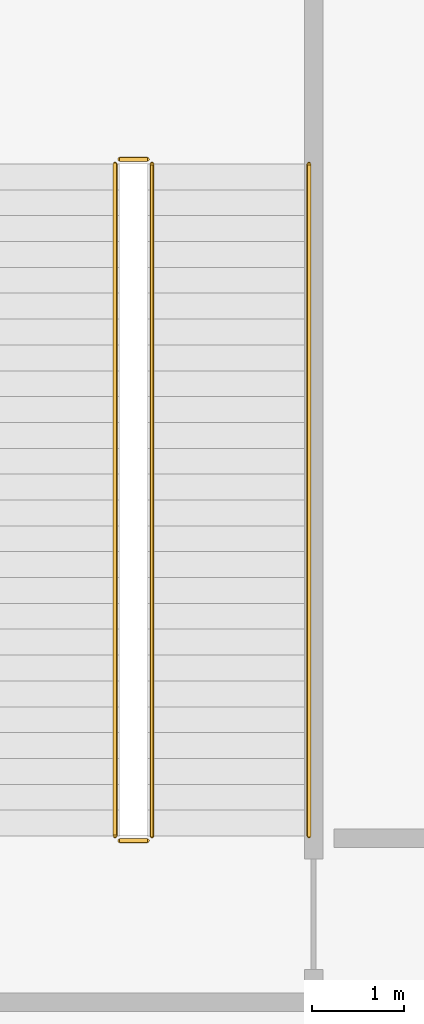
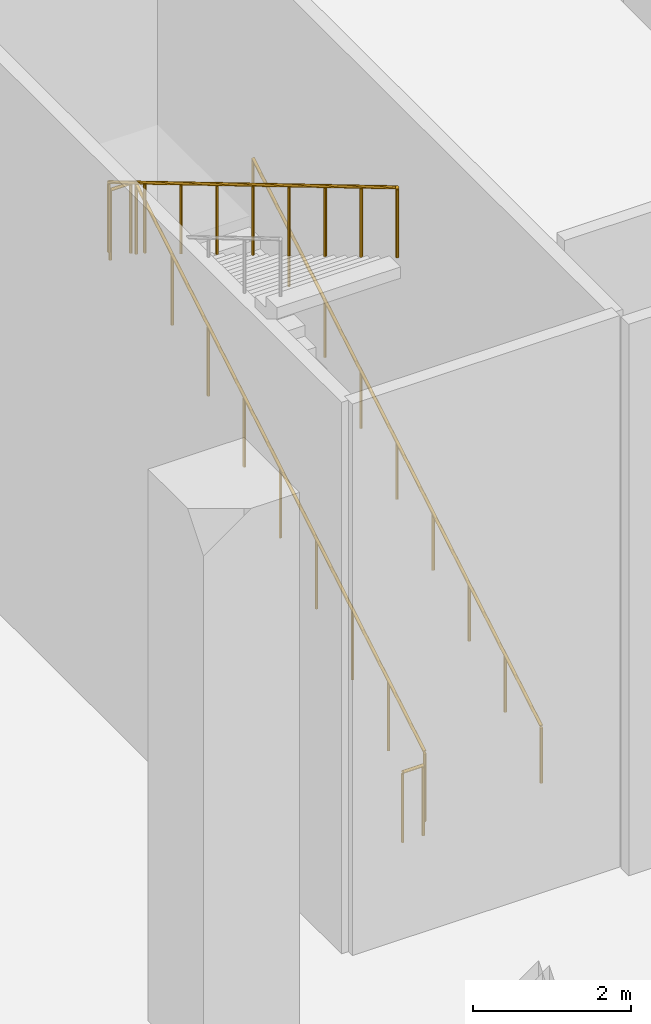
# One storey, part 51 of 54: 5 railings.
"""IFC4 building model written with IfcOpenShell, lengths in metres."""

from ifc_helpers import new_model, si_unit, direction, frame, origin, origin_2d, place, context, subcontext, project, spatial, circle, extrude, material, type_object, element, save


model = new_model("IFC4")

# Units and contexts
model_context = context("Model", 3, precision=1e-05, world=origin(), true_north=direction((0.0, 1.0)))
body_context = subcontext(model_context, "Body", "Model", "MODEL_VIEW")
ifc_project = project(units=[si_unit("LENGTHUNIT", "METRE"), si_unit("AREAUNIT", "SQUARE_METRE"), si_unit("VOLUMEUNIT", "CUBIC_METRE"), si_unit("PLANEANGLEUNIT", "RADIAN"), si_unit("MASSUNIT", "GRAM", prefix="KILO")], contexts=[model_context])

# Site, building, storey
site_placement = place(None, origin())
site = spatial("IfcSite", under=ifc_project, at=site_placement, CompositionType="ELEMENT")
building_placement = place(site_placement, origin())
building = spatial("IfcBuilding", under=site, at=building_placement, Name="Tamarind Cross Interchange Tower", CompositionType="ELEMENT")
storey_placement = place(building_placement, origin())
storey = spatial("IfcBuildingStorey", under=building, at=storey_placement, Name="L00", CompositionType="ELEMENT", Elevation=0.0)

# Railings
ifc_material_1 = material(Name="Public stair guard")
railing_type_1 = type_object("IfcRailingType", Name="Public stair guard", PredefinedType="GUARDRAIL", material=ifc_material_1)
railing_1_placement = place(storey_placement, frame((58.39990234375, -23.5, 0.166748046875)))
element("IfcRailing", 1, at=railing_1_placement, inside=storey, type_object=railing_type_1, Name="L00 XS-P11 stair guard 1", PredefinedType="GUARDRAIL", context=body_context, shape_type="SweptSolid", body=[
    extrude(circle(Radius=0.02392578125, at=origin_2d()), frame((0.0, 0.0, 1.076171875), z_axis=(0.0, 0.859298010897, 0.511475247171), x_axis=(-1.0, 0.0, 0.0)), (0.0, 0.0, 1.0), 8.47216796875),
    extrude(circle(Radius=0.02099609375, at=origin_2d()), origin(), (0.0, 0.0, 1.0), 1.052001953125),
    extrude(circle(Radius=0.02099609375, at=origin_2d()), frame((0.0, 0.909912109375, 0.541748046875)), (0.0, 0.0, 1.0), 1.052001953125),
    extrude(circle(Radius=0.02099609375, at=origin_2d()), frame((0.0, 1.820068359375, 1.083251953125)), (0.0, 0.0, 1.0), 1.052001953125),
    extrude(circle(Radius=0.02099609375, at=origin_2d()), frame((0.0, 2.72998046875, 1.625)), (0.0, 0.0, 1.0), 1.052001953125),
    extrude(circle(Radius=0.02099609375, at=origin_2d()), frame((0.0, 3.64013671875, 2.16650390625)), (0.0, 0.0, 1.0), 1.052001953125),
    extrude(circle(Radius=0.02099609375, at=origin_2d()), frame((0.0, 4.550048828125, 2.708251953125)), (0.0, 0.0, 1.0), 1.052001953125),
    extrude(circle(Radius=0.02099609375, at=origin_2d()), frame((0.0, 5.4599609375, 3.25)), (0.0, 0.0, 1.0), 1.052001953125),
    extrude(circle(Radius=0.02099609375, at=origin_2d()), frame((0.0, 6.3701171875, 3.79150390625)), (0.0, 0.0, 1.0), 1.052001953125),
    extrude(circle(Radius=0.02099609375, at=origin_2d()), frame((0.0, 7.280029296875, 4.333251953125)), (0.0, 0.0, 1.0), 1.052001953125),
])
railing_2_placement = place(storey_placement, frame((58.35009765625, -16.169921875, 4.5)))
element("IfcRailing", 2, at=railing_2_placement, inside=storey, type_object=railing_type_1, Name="L00 XS-P11 stair guard 2", PredefinedType="GUARDRAIL", context=body_context, shape_type="SweptSolid", body=[
    extrude(circle(Radius=0.02392578125, at=origin_2d()), frame((0.0, 0.0, 1.076171875), z_axis=(-1.0, 0.0, 0.0), x_axis=(0.0, -1.0, 0.0)), (0.0, 0.0, 1.0), 0.300048828125),
    extrude(circle(Radius=0.02099609375, at=origin_2d()), origin(), (0.0, 0.0, 1.0), 1.052001953125),
    extrude(circle(Radius=0.02099609375, at=origin_2d()), frame((-0.300048828125, 0.0, 0.0)), (0.0, 0.0, 1.0), 1.052001953125),
])
railing_3_placement = place(storey_placement, frame((58.0, -16.219970703125, 4.666748046875)))
element("IfcRailing", 3, at=railing_3_placement, inside=storey, type_object=railing_type_1, Name="L00 XS-P11 stair guard 3", PredefinedType="GUARDRAIL", context=body_context, shape_type="SweptSolid", body=[
    extrude(circle(Radius=0.02392578125, at=origin_2d()), frame((0.0, 0.0, 1.076171875), z_axis=(0.0, -0.859298010897, 0.511475247171), x_axis=(1.0, 0.0, 0.0)), (0.0, 0.0, 1.0), 8.47216796875),
    extrude(circle(Radius=0.02099609375, at=origin_2d()), origin(), (0.0, 0.0, 1.0), 1.052001953125),
    extrude(circle(Radius=0.02099609375, at=origin_2d()), frame((0.0, -0.909912109375, 0.541748046875)), (0.0, 0.0, 1.0), 1.052001953125),
    extrude(circle(Radius=0.02099609375, at=origin_2d()), frame((0.0, -1.820068359375, 1.083251953125)), (0.0, 0.0, 1.0), 1.052001953125),
    extrude(circle(Radius=0.02099609375, at=origin_2d()), frame((0.0, -2.72998046875, 1.625)), (0.0, 0.0, 1.0), 1.052001953125),
    extrude(circle(Radius=0.02099609375, at=origin_2d()), frame((0.0, -3.64013671875, 2.16650390625)), (0.0, 0.0, 1.0), 1.052001953125),
    extrude(circle(Radius=0.02099609375, at=origin_2d()), frame((0.0, -4.550048828125, 2.708251953125)), (0.0, 0.0, 1.0), 1.052001953125),
    extrude(circle(Radius=0.02099609375, at=origin_2d()), frame((0.0, -5.4599609375, 3.25)), (0.0, 0.0, 1.0), 1.052001953125),
    extrude(circle(Radius=0.02099609375, at=origin_2d()), frame((0.0, -6.3701171875, 3.79150390625)), (0.0, 0.0, 1.0), 1.052001953125),
    extrude(circle(Radius=0.02099609375, at=origin_2d()), frame((0.0, -7.280029296875, 4.333251953125)), (0.0, 0.0, 1.0), 1.052001953125),
])
railing_4_placement = place(storey_placement, frame((58.35009765625, -23.550048828125, 0.0)))
element("IfcRailing", 4, at=railing_4_placement, inside=storey, type_object=railing_type_1, Name="L00 XS-P11 stair guard 4", PredefinedType="GUARDRAIL", context=body_context, shape_type="SweptSolid", body=[
    extrude(circle(Radius=0.02392578125, at=origin_2d()), frame((0.0, 0.0, 1.076171875), z_axis=(-1.0, 0.0, 0.0), x_axis=(0.0, -1.0, 0.0)), (0.0, 0.0, 1.0), 0.300048828125),
    extrude(circle(Radius=0.02099609375, at=origin_2d()), origin(), (0.0, 0.0, 1.0), 1.052001953125),
    extrude(circle(Radius=0.02099609375, at=origin_2d()), frame((-0.300048828125, 0.0, 0.0)), (0.0, 0.0, 1.0), 1.052001953125),
])
ifc_material_2 = material(Name="Public stair handrail")
railing_type_2 = type_object("IfcRailingType", Name="Public stair handrail", PredefinedType="HANDRAIL", material=ifc_material_2)
railing_5_placement = place(storey_placement, frame((60.10009765625, -23.5, 0.166748046875)))
element("IfcRailing", 5, at=railing_5_placement, inside=storey, type_object=railing_type_2, Name="L00 XS-P11 stair handrail 1", PredefinedType="HANDRAIL", context=body_context, shape_type="SweptSolid", body=[
    extrude(circle(Radius=0.02392578125, at=origin_2d()), frame((0.0, 0.0, 0.8759765625), z_axis=(0.0, 0.859298010897, 0.511475247171), x_axis=(-1.0, 0.0, 0.0)), (0.0, 0.0, 1.0), 8.47216796875),
    extrude(circle(Radius=0.02099609375, at=origin_2d()), origin(), (0.0, 0.0, 1.0), 0.851806640625),
    extrude(circle(Radius=0.02099609375, at=origin_2d()), frame((0.0, 0.909912109375, 0.541748046875)), (0.0, 0.0, 1.0), 0.851806640625),
    extrude(circle(Radius=0.02099609375, at=origin_2d()), frame((0.0, 1.820068359375, 1.083251953125)), (0.0, 0.0, 1.0), 0.851806640625),
    extrude(circle(Radius=0.02099609375, at=origin_2d()), frame((0.0, 2.72998046875, 1.625)), (0.0, 0.0, 1.0), 0.851806640625),
    extrude(circle(Radius=0.02099609375, at=origin_2d()), frame((0.0, 3.64013671875, 2.16650390625)), (0.0, 0.0, 1.0), 0.851806640625),
    extrude(circle(Radius=0.02099609375, at=origin_2d()), frame((0.0, 4.550048828125, 2.708251953125)), (0.0, 0.0, 1.0), 0.851806640625),
    extrude(circle(Radius=0.02099609375, at=origin_2d()), frame((0.0, 5.4599609375, 3.25)), (0.0, 0.0, 1.0), 0.851806640625),
    extrude(circle(Radius=0.02099609375, at=origin_2d()), frame((0.0, 6.3701171875, 3.79150390625)), (0.0, 0.0, 1.0), 0.851806640625),
    extrude(circle(Radius=0.02099609375, at=origin_2d()), frame((0.0, 7.280029296875, 4.333251953125)), (0.0, 0.0, 1.0), 0.851806640625),
])

save(model, "model.ifc")
